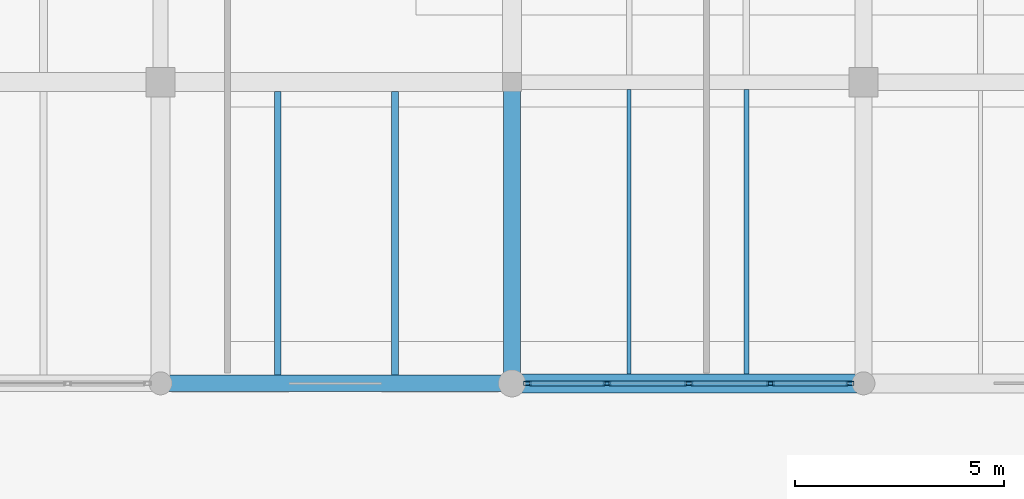
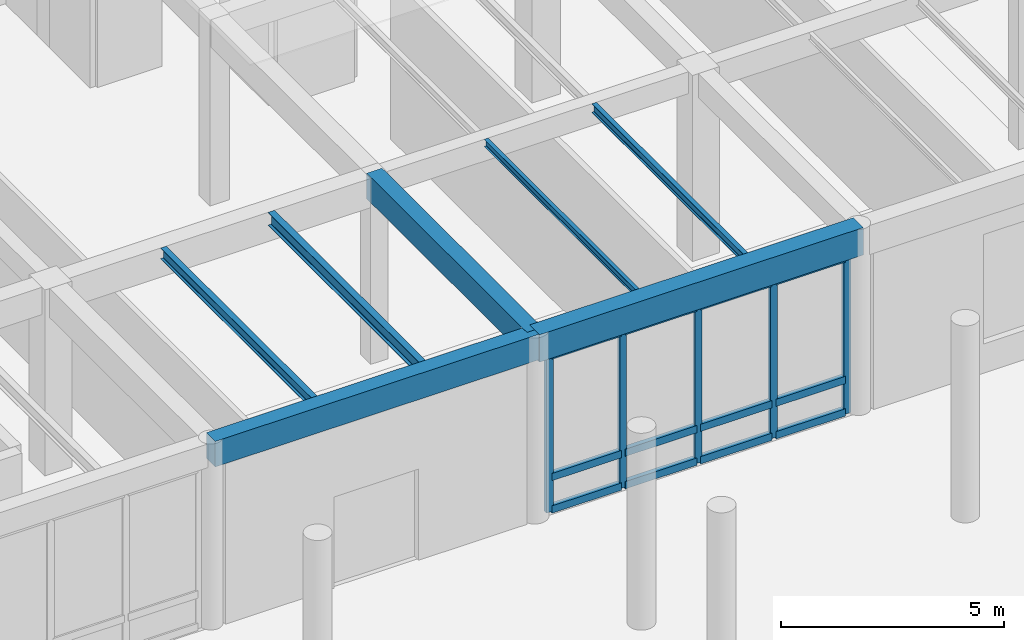
# One storey, part 40 of 169: 17 members, 7 beams, 1 element without a shape of its own.
"""IFC4 building model written with IfcOpenShell, lengths in metres."""

from ifc_helpers import new_model, si_unit, direction, frame, origin, origin_2d, place, context, subcontext, project, spatial, rectangle, hollow_rectangle, i_section, extrude, material, layer, layer_set, material_profile, profile_set, type_object, element, aggregate, save


model = new_model("IFC4")

# Units and contexts
model_context = context("Model", 3, precision=1e-05, world=origin(), true_north=direction((0.0, 1.0)))
body_context = subcontext(model_context, "Body", "Model", "MODEL_VIEW")
ifc_project = project(units=[si_unit("LENGTHUNIT", "METRE"), si_unit("AREAUNIT", "SQUARE_METRE"), si_unit("VOLUMEUNIT", "CUBIC_METRE"), si_unit("PLANEANGLEUNIT", "RADIAN"), si_unit("MASSUNIT", "GRAM", prefix="KILO")], contexts=[model_context])

# Site, building, storey
site_placement = place(None, origin())
site = spatial("IfcSite", under=ifc_project, at=site_placement, CompositionType="ELEMENT")
building_placement = place(site_placement, origin())
building = spatial("IfcBuilding", under=site, at=building_placement, Name="Mazaris Harbour Polytechnic", CompositionType="ELEMENT")
storey_placement = place(building_placement, origin())
storey = spatial("IfcBuildingStorey", under=building, at=storey_placement, Name="L00", CompositionType="ELEMENT", Elevation=0.0)

# Curtain wall, members
ifc_material_1 = material(Name="Anodised Bronze Aluminium and Low-E Glass", Category="aluminium")
ifc_layer = layer(ifc_material_1, 0.179931640625, Name="Anodised Bronze Aluminium and Low-E Glass")
ifc_layer_set = layer_set([ifc_layer], Name="Anodised Bronze Aluminium and Low-E Glass")
curtain_wall_type = type_object("IfcCurtainWallType", Name="Harbour Colonnade Curtain Wall", PredefinedType="NOTDEFINED", material=ifc_layer_set)
curtain_wall_placement = place(storey_placement, origin())
curtain_wall = element("IfcCurtainWall", 1, at=curtain_wall_placement, inside=storey, type_object=curtain_wall_type, Name="V3 L00 Curtain Wall 61", PredefinedType="NOTDEFINED")
ifc_material_2 = material(Name="Anodised Bronze Steel S355", Category="steel")
ifc_material_profile_1 = material_profile(ifc_material_2, hollow_rectangle(XDim=0.10009765625, YDim=0.179931640625, WallThickness=0.008056640625, at=origin_2d()), Name="RHS 100x180x8.0")
ifc_profile_set_1 = profile_set([ifc_material_profile_1], Name="Anodised Bronze Steel S355")
member_type_1 = type_object("IfcMemberType", Name="Curtain Mullion RHS100x180", PredefinedType="MULLION", material=ifc_profile_set_1)
member_1_placement = place(storey_placement, frame((78.883056640625, 7.199951171875, 0.0), z_axis=(0.0, 0.0, 1.0), x_axis=(0.0, -1.0, 0.0)))
member_1 = element("IfcMember", 2, at=member_1_placement, type_object=member_type_1, Name="CW-01 mullion 1", PredefinedType="MULLION", context=body_context, shape_type="SweptSolid", body=[
    extrude(hollow_rectangle(XDim=0.10009765625, YDim=0.179931640625, WallThickness=0.008056640625, at=origin_2d()), origin(), (0.0, 0.0, 1.0), 4.340087890625),
])
member_2_placement = place(storey_placement, frame((76.97900390625, 7.199951171875, 0.0), z_axis=(0.0, 0.0, 1.0), x_axis=(0.0, -1.0, 0.0)))
member_2 = element("IfcMember", 3, at=member_2_placement, type_object=member_type_1, Name="CW-01 mullion 2", PredefinedType="MULLION", context=body_context, shape_type="SweptSolid", body=[
    extrude(hollow_rectangle(XDim=0.10009765625, YDim=0.179931640625, WallThickness=0.008056640625, at=origin_2d()), origin(), (0.0, 0.0, 1.0), 4.340087890625),
])
member_3_placement = place(storey_placement, frame((75.02490234375, 7.199951171875, 0.0), z_axis=(0.0, 0.0, 1.0), x_axis=(0.0, -1.0, 0.0)))
member_3 = element("IfcMember", 4, at=member_3_placement, type_object=member_type_1, Name="CW-01 mullion 3", PredefinedType="MULLION", context=body_context, shape_type="SweptSolid", body=[
    extrude(hollow_rectangle(XDim=0.10009765625, YDim=0.179931640625, WallThickness=0.008056640625, at=origin_2d()), origin(), (0.0, 0.0, 1.0), 4.340087890625),
])
member_4_placement = place(storey_placement, frame((73.071044921875, 7.199951171875, 0.0), z_axis=(0.0, 0.0, 1.0), x_axis=(0.0, -1.0, 0.0)))
member_4 = element("IfcMember", 5, at=member_4_placement, type_object=member_type_1, Name="CW-01 mullion 4", PredefinedType="MULLION", context=body_context, shape_type="SweptSolid", body=[
    extrude(hollow_rectangle(XDim=0.10009765625, YDim=0.179931640625, WallThickness=0.008056640625, at=origin_2d()), origin(), (0.0, 0.0, 1.0), 4.340087890625),
])
member_5_placement = place(storey_placement, frame((71.1669921875, 7.199951171875, 0.0), z_axis=(0.0, 0.0, 1.0), x_axis=(0.0, -1.0, 0.0)))
member_5 = element("IfcMember", 6, at=member_5_placement, type_object=member_type_1, Name="CW-01 mullion 5", PredefinedType="MULLION", context=body_context, shape_type="SweptSolid", body=[
    extrude(hollow_rectangle(XDim=0.10009765625, YDim=0.179931640625, WallThickness=0.008056640625, at=origin_2d()), origin(), (0.0, 0.0, 1.0), 4.340087890625),
])
ifc_material_3 = material(Name="Anodised Bronze Steel S355", Category="steel")
ifc_material_profile_2 = material_profile(ifc_material_3, hollow_rectangle(XDim=0.1201171875, YDim=0.199951171875, WallThickness=0.008056640625, at=origin_2d()), Name="RHS 120x200x8.0")
ifc_profile_set_2 = profile_set([ifc_material_profile_2], Name="Anodised Bronze Steel S355")
member_type_2 = type_object("IfcMemberType", Name="Curtain Transom RHS120x200", PredefinedType="USERDEFINED", material=ifc_profile_set_2)
member_6_placement = place(storey_placement, frame((78.8330078125, 7.199951171875, 0.06005859375), z_axis=(-1.0, 0.0, 0.0), x_axis=(0.0, -1.0, 0.0)))
member_6 = element("IfcMember", 7, at=member_6_placement, type_object=member_type_2, Name="CW-01 transom 1.1", ObjectType="TRANSOM", PredefinedType="USERDEFINED", context=body_context, shape_type="SweptSolid", body=[
    extrude(hollow_rectangle(XDim=0.1201171875, YDim=0.199951171875, WallThickness=0.008056640625, at=origin_2d()), origin(), (0.0, 0.0, 1.0), 1.803955078125),
])
member_7_placement = place(storey_placement, frame((78.8330078125, 7.199951171875, 0.949951171875), z_axis=(-1.0, 0.0, 0.0), x_axis=(0.0, -1.0, 0.0)))
member_7 = element("IfcMember", 8, at=member_7_placement, type_object=member_type_2, Name="CW-01 transom 1.2", ObjectType="TRANSOM", PredefinedType="USERDEFINED", context=body_context, shape_type="SweptSolid", body=[
    extrude(hollow_rectangle(XDim=0.1201171875, YDim=0.199951171875, WallThickness=0.008056640625, at=origin_2d()), origin(), (0.0, 0.0, 1.0), 1.803955078125),
])
member_8_placement = place(storey_placement, frame((78.8330078125, 7.199951171875, 4.280029296875), z_axis=(-1.0, 0.0, 0.0), x_axis=(0.0, -1.0, 0.0)))
member_8 = element("IfcMember", 9, at=member_8_placement, type_object=member_type_2, Name="CW-01 transom 1.3", ObjectType="TRANSOM", PredefinedType="USERDEFINED", context=body_context, shape_type="SweptSolid", body=[
    extrude(hollow_rectangle(XDim=0.1201171875, YDim=0.199951171875, WallThickness=0.008056640625, at=origin_2d()), origin(), (0.0, 0.0, 1.0), 1.803955078125),
])
member_9_placement = place(storey_placement, frame((76.928955078125, 7.199951171875, 0.06005859375), z_axis=(-1.0, 0.0, 0.0), x_axis=(0.0, -1.0, 0.0)))
member_9 = element("IfcMember", 10, at=member_9_placement, type_object=member_type_2, Name="CW-01 transom 2.1", ObjectType="TRANSOM", PredefinedType="USERDEFINED", context=body_context, shape_type="SweptSolid", body=[
    extrude(hollow_rectangle(XDim=0.1201171875, YDim=0.199951171875, WallThickness=0.008056640625, at=origin_2d()), origin(), (0.0, 0.0, 1.0), 1.85400390625),
])
member_10_placement = place(storey_placement, frame((76.928955078125, 7.199951171875, 0.949951171875), z_axis=(-1.0, 0.0, 0.0), x_axis=(0.0, -1.0, 0.0)))
member_10 = element("IfcMember", 11, at=member_10_placement, type_object=member_type_2, Name="CW-01 transom 2.2", ObjectType="TRANSOM", PredefinedType="USERDEFINED", context=body_context, shape_type="SweptSolid", body=[
    extrude(hollow_rectangle(XDim=0.1201171875, YDim=0.199951171875, WallThickness=0.008056640625, at=origin_2d()), origin(), (0.0, 0.0, 1.0), 1.85400390625),
])
member_11_placement = place(storey_placement, frame((76.928955078125, 7.199951171875, 4.280029296875), z_axis=(-1.0, 0.0, 0.0), x_axis=(0.0, -1.0, 0.0)))
member_11 = element("IfcMember", 12, at=member_11_placement, type_object=member_type_2, Name="CW-01 transom 2.3", ObjectType="TRANSOM", PredefinedType="USERDEFINED", context=body_context, shape_type="SweptSolid", body=[
    extrude(hollow_rectangle(XDim=0.1201171875, YDim=0.199951171875, WallThickness=0.008056640625, at=origin_2d()), origin(), (0.0, 0.0, 1.0), 1.85400390625),
])
member_12_placement = place(storey_placement, frame((74.97509765625, 7.199951171875, 0.06005859375), z_axis=(-1.0, 0.0, 0.0), x_axis=(0.0, -1.0, 0.0)))
member_12 = element("IfcMember", 13, at=member_12_placement, type_object=member_type_2, Name="CW-01 transom 3.1", ObjectType="TRANSOM", PredefinedType="USERDEFINED", context=body_context, shape_type="SweptSolid", body=[
    extrude(hollow_rectangle(XDim=0.1201171875, YDim=0.199951171875, WallThickness=0.008056640625, at=origin_2d()), origin(), (0.0, 0.0, 1.0), 1.85400390625),
])
member_13_placement = place(storey_placement, frame((74.97509765625, 7.199951171875, 0.949951171875), z_axis=(-1.0, 0.0, 0.0), x_axis=(0.0, -1.0, 0.0)))
member_13 = element("IfcMember", 14, at=member_13_placement, type_object=member_type_2, Name="CW-01 transom 3.2", ObjectType="TRANSOM", PredefinedType="USERDEFINED", context=body_context, shape_type="SweptSolid", body=[
    extrude(hollow_rectangle(XDim=0.1201171875, YDim=0.199951171875, WallThickness=0.008056640625, at=origin_2d()), origin(), (0.0, 0.0, 1.0), 1.85400390625),
])
member_14_placement = place(storey_placement, frame((74.97509765625, 7.199951171875, 4.280029296875), z_axis=(-1.0, 0.0, 0.0), x_axis=(0.0, -1.0, 0.0)))
member_14 = element("IfcMember", 15, at=member_14_placement, type_object=member_type_2, Name="CW-01 transom 3.3", ObjectType="TRANSOM", PredefinedType="USERDEFINED", context=body_context, shape_type="SweptSolid", body=[
    extrude(hollow_rectangle(XDim=0.1201171875, YDim=0.199951171875, WallThickness=0.008056640625, at=origin_2d()), origin(), (0.0, 0.0, 1.0), 1.85400390625),
])
member_15_placement = place(storey_placement, frame((73.02099609375, 7.199951171875, 0.06005859375), z_axis=(-1.0, 0.0, 0.0), x_axis=(0.0, -1.0, 0.0)))
member_15 = element("IfcMember", 16, at=member_15_placement, type_object=member_type_2, Name="CW-01 transom 4.1", ObjectType="TRANSOM", PredefinedType="USERDEFINED", context=body_context, shape_type="SweptSolid", body=[
    extrude(hollow_rectangle(XDim=0.1201171875, YDim=0.199951171875, WallThickness=0.008056640625, at=origin_2d()), origin(), (0.0, 0.0, 1.0), 1.803955078125),
])
member_16_placement = place(storey_placement, frame((73.02099609375, 7.199951171875, 0.949951171875), z_axis=(-1.0, 0.0, 0.0), x_axis=(0.0, -1.0, 0.0)))
member_16 = element("IfcMember", 17, at=member_16_placement, type_object=member_type_2, Name="CW-01 transom 4.2", ObjectType="TRANSOM", PredefinedType="USERDEFINED", context=body_context, shape_type="SweptSolid", body=[
    extrude(hollow_rectangle(XDim=0.1201171875, YDim=0.199951171875, WallThickness=0.008056640625, at=origin_2d()), origin(), (0.0, 0.0, 1.0), 1.803955078125),
])
member_17_placement = place(storey_placement, frame((73.02099609375, 7.199951171875, 4.280029296875), z_axis=(-1.0, 0.0, 0.0), x_axis=(0.0, -1.0, 0.0)))
member_17 = element("IfcMember", 18, at=member_17_placement, type_object=member_type_2, Name="CW-01 transom 4.3", ObjectType="TRANSOM", PredefinedType="USERDEFINED", context=body_context, shape_type="SweptSolid", body=[
    extrude(hollow_rectangle(XDim=0.1201171875, YDim=0.199951171875, WallThickness=0.008056640625, at=origin_2d()), origin(), (0.0, 0.0, 1.0), 1.803955078125),
])
aggregate(curtain_wall, [member_1, member_2, member_3, member_4, member_5, member_6, member_7, member_8, member_9, member_10, member_11, member_12, member_13, member_14, member_15, member_16, member_17])

# Beams
ifc_material_4 = material(Name="Concrete C35/45", Category="concrete")
ifc_material_profile_3 = material_profile(ifc_material_4, rectangle(XDim=0.39990234375, YDim=0.699951171875, at=origin_2d()), Name="RECT400x700")
ifc_profile_set_3 = profile_set([ifc_material_profile_3], Name="Concrete C35/45")
beam_type_1 = type_object("IfcBeamType", Name="RC Girder 400x700", PredefinedType="BEAM", material=ifc_profile_set_3)
beam_1_placement = place(storey_placement, frame((70.800048828125, 7.199951171875, 4.75), z_axis=(0.0, 1.0, 0.0), x_axis=(-1.0, 0.0, 0.0)))
element("IfcBeam", 19, at=beam_1_placement, inside=storey, type_object=beam_type_1, Name="V3 L00 Tie Girder 897", PredefinedType="BEAM", context=body_context, shape_type="SweptSolid", body=[
    extrude(rectangle(XDim=0.39990234375, YDim=0.699951171875, at=origin_2d()), origin(), (0.0, 0.0, 1.0), 7.199951171875),
])
ifc_material_5 = material(Name="Concrete C35/45", Category="concrete")
ifc_material_profile_4 = material_profile(ifc_material_5, rectangle(XDim=0.39990234375, YDim=0.699951171875, at=origin_2d()), Name="RECT400x700")
ifc_profile_set_4 = profile_set([ifc_material_profile_4], Name="Concrete C35/45")
beam_type_2 = type_object("IfcBeamType", Name="RC Girder 400x700 Exterior", PredefinedType="BEAM", material=ifc_profile_set_4)
beam_2_placement = place(storey_placement, frame((62.39990234375, 7.199951171875, 4.75), z_axis=(1.0, 0.0, 0.0), x_axis=(0.0, 1.0, 0.0)))
element("IfcBeam", 20, at=beam_2_placement, inside=storey, type_object=beam_type_2, Name="V3 L00 Girder 857", PredefinedType="BEAM", context=body_context, shape_type="SweptSolid", body=[
    extrude(rectangle(XDim=0.39990234375, YDim=0.699951171875, at=origin_2d()), origin(), (0.0, 0.0, 1.0), 8.400146484375),
])
ifc_material_6 = material(Name="Concrete C40/50", Category="concrete")
ifc_material_profile_5 = material_profile(ifc_material_6, rectangle(XDim=0.449951171875, YDim=0.75, at=origin_2d()), Name="RECT450x750")
ifc_profile_set_5 = profile_set([ifc_material_profile_5], Name="Concrete C40/50")
beam_type_3 = type_object("IfcBeamType", Name="RC Girder 450x750 Exterior", PredefinedType="BEAM", material=ifc_profile_set_5)
beam_3_placement = place(storey_placement, frame((70.800048828125, 7.199951171875, 4.72509765625), z_axis=(1.0, 0.0, 0.0), x_axis=(0.0, 1.0, 0.0)))
element("IfcBeam", 21, at=beam_3_placement, inside=storey, type_object=beam_type_3, Name="V3 L00 Girder 858", PredefinedType="BEAM", context=body_context, shape_type="SweptSolid", body=[
    extrude(rectangle(XDim=0.449951171875, YDim=0.75, at=origin_2d()), origin(), (0.0, 0.0, 1.0), 8.39990234375),
])
ifc_material_7 = material(Name="Steel S355", Category="steel")
ifc_material_profile_6 = material_profile(ifc_material_7, i_section(OverallWidth=0.10009765625, OverallDepth=0.199951171875, WebThickness=0.005615234375, FlangeThickness=0.008544921875, FilletRadius=0.011962890625, at=origin_2d()), Name="IPE 200")
ifc_profile_set_6 = profile_set([ifc_material_profile_6], Name="Steel S355")
beam_type_4 = type_object("IfcBeamType", Name="Steel Joist IPE200", PredefinedType="JOIST", material=ifc_profile_set_6)
beam_4_placement = place(storey_placement, frame((73.60009765625, 7.425048828125, 5.0), z_axis=(0.0, 1.0, 0.0), x_axis=(-1.0, 0.0, 0.0)))
element("IfcBeam", 22, at=beam_4_placement, inside=storey, type_object=beam_type_4, Name="V3 L00 Floor Joist 931", PredefinedType="JOIST", context=body_context, shape_type="SweptSolid", body=[
    extrude(i_section(OverallWidth=0.10009765625, OverallDepth=0.199951171875, WebThickness=0.005615234375, FlangeThickness=0.008544921875, FilletRadius=0.011962890625, at=origin_2d()), origin(), (0.0, 0.0, 1.0), 6.800048828125),
])
ifc_material_8 = material(Name="Steel S355", Category="steel")
ifc_material_profile_7 = material_profile(ifc_material_8, i_section(OverallWidth=0.1201171875, OverallDepth=0.239990234375, WebThickness=0.006103515625, FlangeThickness=0.009765625, FilletRadius=0.014892578125, at=origin_2d()), Name="IPE 240")
ifc_profile_set_7 = profile_set([ifc_material_profile_7], Name="Steel S355")
beam_type_5 = type_object("IfcBeamType", Name="Steel Joist IPE240", PredefinedType="JOIST", material=ifc_profile_set_7)
beam_5_placement = place(storey_placement, frame((76.39990234375, 7.425048828125, 4.97998046875), z_axis=(0.0, 1.0, 0.0), x_axis=(-1.0, 0.0, 0.0)))
element("IfcBeam", 23, at=beam_5_placement, inside=storey, type_object=beam_type_5, Name="V3 L00 Floor Joist 932", PredefinedType="JOIST", context=body_context, shape_type="SweptSolid", body=[
    extrude(i_section(OverallWidth=0.1201171875, OverallDepth=0.239990234375, WebThickness=0.006103515625, FlangeThickness=0.009765625, FilletRadius=0.014892578125, at=origin_2d()), origin(), (0.0, 0.0, 1.0), 6.800048828125),
])
ifc_material_9 = material(Name="Steel S355", Category="steel")
ifc_material_profile_8 = material_profile(ifc_material_9, i_section(OverallWidth=0.14990234375, OverallDepth=0.300048828125, WebThickness=0.007080078125, FlangeThickness=0.0107421875, FilletRadius=0.014892578125, at=origin_2d()), Name="IPE 300")
ifc_profile_set_8 = profile_set([ifc_material_profile_8], Name="Steel S355")
beam_type_6 = type_object("IfcBeamType", Name="Steel Joist IPE300", PredefinedType="JOIST", material=ifc_profile_set_8)
beam_6_placement = place(storey_placement, frame((65.199951171875, 7.39990234375, 4.949951171875), z_axis=(0.0, 1.0, 0.0), x_axis=(-1.0, 0.0, 0.0)))
element("IfcBeam", 24, at=beam_6_placement, inside=storey, type_object=beam_type_6, Name="V3 L00 Floor Joist 927", PredefinedType="JOIST", context=body_context, shape_type="SweptSolid", body=[
    extrude(i_section(OverallWidth=0.14990234375, OverallDepth=0.300048828125, WebThickness=0.007080078125, FlangeThickness=0.0107421875, FilletRadius=0.014892578125, at=origin_2d()), origin(), (0.0, 0.0, 1.0), 6.775146484375),
])
ifc_material_10 = material(Name="Steel S355", Category="steel")
ifc_material_profile_9 = material_profile(ifc_material_10, i_section(OverallWidth=0.169921875, OverallDepth=0.360107421875, WebThickness=0.008056640625, FlangeThickness=0.0126953125, FilletRadius=0.01806640625, at=origin_2d()), Name="IPE 360")
ifc_profile_set_9 = profile_set([ifc_material_profile_9], Name="Steel S355")
beam_type_7 = type_object("IfcBeamType", Name="Steel Joist IPE360", PredefinedType="JOIST", material=ifc_profile_set_9)
beam_7_placement = place(storey_placement, frame((68.0, 7.39990234375, 4.919921875), z_axis=(0.0, 1.0, 0.0), x_axis=(-1.0, 0.0, 0.0)))
element("IfcBeam", 25, at=beam_7_placement, inside=storey, type_object=beam_type_7, Name="V3 L00 Floor Joist 928", PredefinedType="JOIST", context=body_context, shape_type="SweptSolid", body=[
    extrude(i_section(OverallWidth=0.169921875, OverallDepth=0.360107421875, WebThickness=0.008056640625, FlangeThickness=0.0126953125, FilletRadius=0.01806640625, at=origin_2d()), origin(), (0.0, 0.0, 1.0), 6.775146484375),
])

save(model, "model.ifc")
